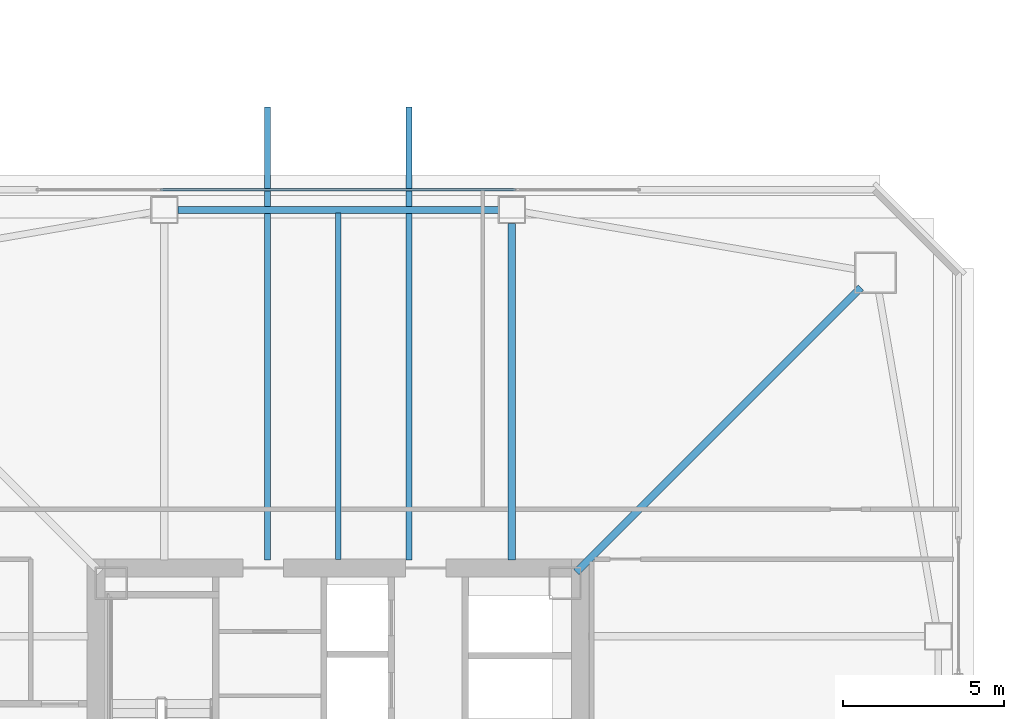
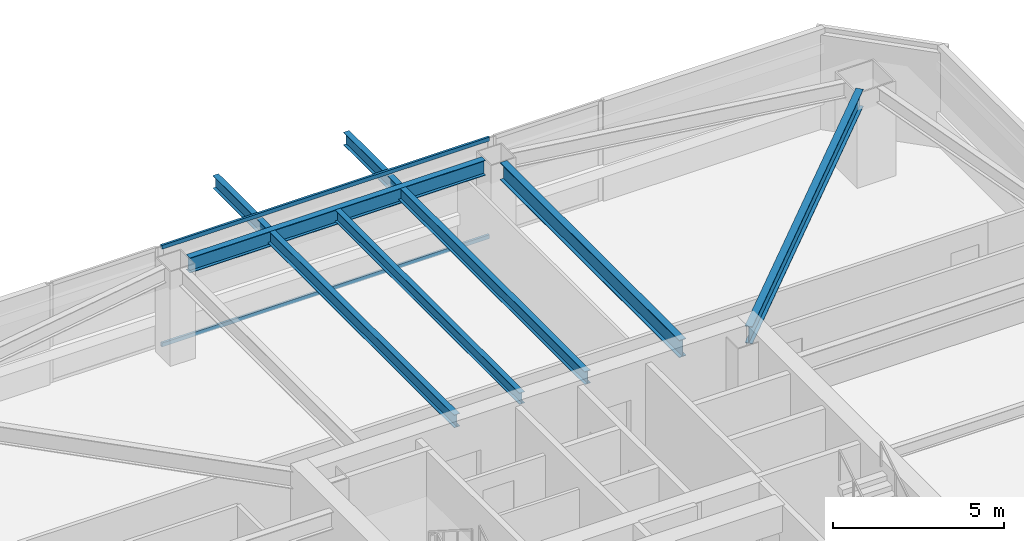
# One storey, part 14 of 40: 6 beams, 2 members, 1 element without a shape of its own.
"""IFC4 building model written with IfcOpenShell, lengths in metres."""

from ifc_helpers import new_model, si_unit, direction, frame, origin, origin_2d, place, context, subcontext, project, spatial, hollow_rectangle, i_section, extrude, material, material_profile, profile_set, type_object, element, aggregate, save


model = new_model("IFC4")

# Units and contexts
model_context = context("Model", 3, precision=1e-05, world=origin(), true_north=direction((0.0, 1.0)))
body_context = subcontext(model_context, "Body", "Model", "MODEL_VIEW")
ifc_project = project(units=[si_unit("LENGTHUNIT", "METRE"), si_unit("AREAUNIT", "SQUARE_METRE"), si_unit("VOLUMEUNIT", "CUBIC_METRE"), si_unit("PLANEANGLEUNIT", "RADIAN"), si_unit("MASSUNIT", "GRAM", prefix="KILO")], contexts=[model_context])

# Site, building, storey
site_placement = place(None, origin())
site = spatial("IfcSite", under=ifc_project, at=site_placement, CompositionType="ELEMENT")
building_placement = place(site_placement, origin())
building = spatial("IfcBuilding", under=site, at=building_placement, Name="Tashvorn Skyway Center", CompositionType="ELEMENT")
storey_placement = place(building_placement, frame((0.0, 0.0, 142.800048828125)))
storey = spatial("IfcBuildingStorey", under=building, at=storey_placement, Name="L38", CompositionType="ELEMENT", Elevation=142.800048828125)

# Beams
ifc_material_1 = material(Name="Steel ASTM A992 Grade 50", Category="steel")
ifc_material_profile_1 = material_profile(ifc_material_1, i_section(OverallWidth=0.22998046875, OverallDepth=0.616943359375, WebThickness=0.01318359375, FlangeThickness=0.022216796875, at=origin_2d()), Name="W24X94")
ifc_profile_set_1 = profile_set([ifc_material_profile_1], Name="Steel ASTM A992 Grade 50")
beam_type_1 = type_object("IfcBeamType", Name="BM-BEAM-W24X94", PredefinedType="BEAM", material=ifc_profile_set_1)
beam_1_placement = place(storey_placement, frame((58.243896484375, 48.243896484375, 3.0615234375), z_axis=(-0.707106781187, -0.707106781187, 0.0), x_axis=(0.707106781187, -0.707106781187, 0.0)))
element("IfcBeam", 1, at=beam_1_placement, inside=storey, type_object=beam_type_1, Name="Tower 1 L38 Primary Floor Girder MC-NE", PredefinedType="BEAM", context=body_context, shape_type="SweptSolid", body=[
    extrude(i_section(OverallWidth=0.22998046875, OverallDepth=0.616943359375, WebThickness=0.01318359375, FlangeThickness=0.022216796875, at=origin_2d()), origin(), (0.0, 0.0, 1.0), 12.50732421875),
])
beam_2_placement = place(storey_placement, frame((47.39990234375, 50.22998046875, 3.0615234375), z_axis=(0.0, -1.0, 0.0), x_axis=(1.0, 0.0, 0.0)))
element("IfcBeam", 2, at=beam_2_placement, inside=storey, type_object=beam_type_1, Name="Tower 1 L38 Primary Floor Girder FC-N1", PredefinedType="BEAM", context=body_context, shape_type="SweptSolid", body=[
    extrude(i_section(OverallWidth=0.22998046875, OverallDepth=0.616943359375, WebThickness=0.01318359375, FlangeThickness=0.022216796875, at=origin_2d()), origin(), (0.0, 0.0, 1.0), 10.449951171875),
])
ifc_material_profile_2 = material_profile(ifc_material_1, i_section(OverallWidth=0.177978515625, OverallDepth=0.406005859375, WebThickness=0.0078125, FlangeThickness=0.0126953125, at=origin_2d()), Name="W16X40")
ifc_profile_set_2 = profile_set([ifc_material_profile_2], Name="Steel ASTM A992 Grade 50")
beam_type_2 = type_object("IfcBeamType", Name="BM-JOIST-W16X40", PredefinedType="JOIST", material=ifc_profile_set_2)
beam_3_placement = place(storey_placement, frame((42.0, 39.7900390625, 3.1669921875), z_axis=(0.0, 1.0, 0.0), x_axis=(-1.0, 0.0, 0.0)))
element("IfcBeam", 3, at=beam_3_placement, inside=storey, type_object=beam_type_2, Name="Tower 1 L38 Secondary Composite Joist JN", PredefinedType="JOIST", context=body_context, shape_type="SweptSolid", body=[
    extrude(i_section(OverallWidth=0.177978515625, OverallDepth=0.406005859375, WebThickness=0.0078125, FlangeThickness=0.0126953125, at=origin_2d()), origin(), (0.0, 0.0, 1.0), 10.762451171875),
])
ifc_material_profile_3 = material_profile(ifc_material_1, i_section(OverallWidth=0.19091796875, OverallDepth=0.4599609375, WebThickness=0.010009765625, FlangeThickness=0.01611328125, at=origin_2d()), Name="W18X55")
ifc_profile_set_3 = profile_set([ifc_material_profile_3], Name="Steel ASTM A992 Grade 50")
beam_type_3 = type_object("IfcBeamType", Name="BM-JOIST-W18X55", PredefinedType="JOIST", material=ifc_profile_set_3)
for number, where, z_axis, x_axis, name in (
    (4, (39.800048828125, 39.780029296875, 3.139892578125), (0.0, 1.0, 0.0), (-1.0, 0.0, 0.0), "Tower 1 L39 Terrace Cantilever Outlooker 1"),
    (5, (44.199951171875, 39.780029296875, 3.139892578125), (0.0, 1.0, 0.0), (-1.0, 0.0, 0.0), "Tower 1 L39 Terrace Cantilever Outlooker 2"),
):
    element("IfcBeam", number, at=place(storey_placement, frame(where, z_axis=z_axis, x_axis=x_axis)), inside=storey, type_object=beam_type_3, Name=name, PredefinedType="JOIST", context=body_context, shape_type="SweptSolid", body=[
        extrude(i_section(OverallWidth=0.19091796875, OverallDepth=0.4599609375, WebThickness=0.010009765625, FlangeThickness=0.01611328125, at=origin_2d()), origin(), (0.0, 0.0, 1.0), 14.070068359375),
    ])
ifc_material_profile_4 = material_profile(ifc_material_1, i_section(OverallWidth=0.2109375, OverallDepth=0.5390625, WebThickness=0.01171875, FlangeThickness=0.018798828125, at=origin_2d()), Name="W21X73")
ifc_profile_set_4 = profile_set([ifc_material_profile_4], Name="Steel ASTM A992 Grade 50")
beam_type_4 = type_object("IfcBeamType", Name="BM-SPANDREL-W21X73", PredefinedType="SPANDREL", material=ifc_profile_set_4)
beam_4_placement = place(storey_placement, frame((46.97998046875, 50.64990234375, 3.100341796875), z_axis=(-1.0, 0.0, 0.0), x_axis=(0.0, -1.0, 0.0)))
element("IfcBeam", 6, at=beam_4_placement, inside=storey, type_object=beam_type_4, Name="Tower 1 L38 Spandrel Beam 08", PredefinedType="SPANDREL", context=body_context, shape_type="SweptSolid", body=[
    extrude(i_section(OverallWidth=0.2109375, OverallDepth=0.5390625, WebThickness=0.01171875, FlangeThickness=0.018798828125, at=origin_2d()), origin(), (0.0, 0.0, 1.0), 9.9599609375),
])

# Curtain wall, members
ifc_material_2 = material(Name="Thermally broken bronze-anodized aluminium 6063-T6", Category="aluminium")
curtain_wall_type = type_object("IfcCurtainWallType", Name="CW-CW-Z3", PredefinedType="NOTDEFINED", material=ifc_material_2)
curtain_wall_placement = place(storey_placement, origin())
curtain_wall = element("IfcCurtainWall", 7, at=curtain_wall_placement, inside=storey, type_object=curtain_wall_type, Name="Tower 1 L38 North Unitised Curtain Wall Glazing Group 2", PredefinedType="NOTDEFINED")
ifc_material_profile_5 = material_profile(ifc_material_2, hollow_rectangle(XDim=0.074951171875, YDim=0.139892578125, WallThickness=0.004150390625, at=origin_2d()), Name="ALU-TRAN-75x140")
ifc_profile_set_5 = profile_set([ifc_material_profile_5], Name="Thermally broken bronze-anodized aluminium 6063-T6")
member_type = type_object("IfcMemberType", Name="CWT-CW-Z3", PredefinedType="USERDEFINED", material=ifc_profile_set_5)
member_1_placement = place(storey_placement, frame((36.481689453125, 51.280029296875, 0.037353515625), z_axis=(1.0, 0.0, 0.0), x_axis=(0.0, 1.0, 0.0)))
member_1 = element("IfcMember", 8, at=member_1_placement, type_object=member_type, Name="CW-Z3 transom 1.1", ObjectType="TRANSOM", PredefinedType="USERDEFINED", context=body_context, shape_type="SweptSolid", body=[
    extrude(hollow_rectangle(XDim=0.074951171875, YDim=0.139892578125, WallThickness=0.004150390625, at=origin_2d()), origin(), (0.0, 0.0, 1.0), 11.03662109375),
])
member_2_placement = place(storey_placement, frame((36.481689453125, 51.280029296875, 3.512451171875), z_axis=(1.0, 0.0, 0.0), x_axis=(0.0, 1.0, 0.0)))
member_2 = element("IfcMember", 9, at=member_2_placement, type_object=member_type, Name="CW-Z3 transom 1.2", ObjectType="TRANSOM", PredefinedType="USERDEFINED", context=body_context, shape_type="SweptSolid", body=[
    extrude(hollow_rectangle(XDim=0.074951171875, YDim=0.139892578125, WallThickness=0.004150390625, at=origin_2d()), origin(), (0.0, 0.0, 1.0), 11.03662109375),
])
aggregate(curtain_wall, [member_1, member_2])

save(model, "model.ifc")
